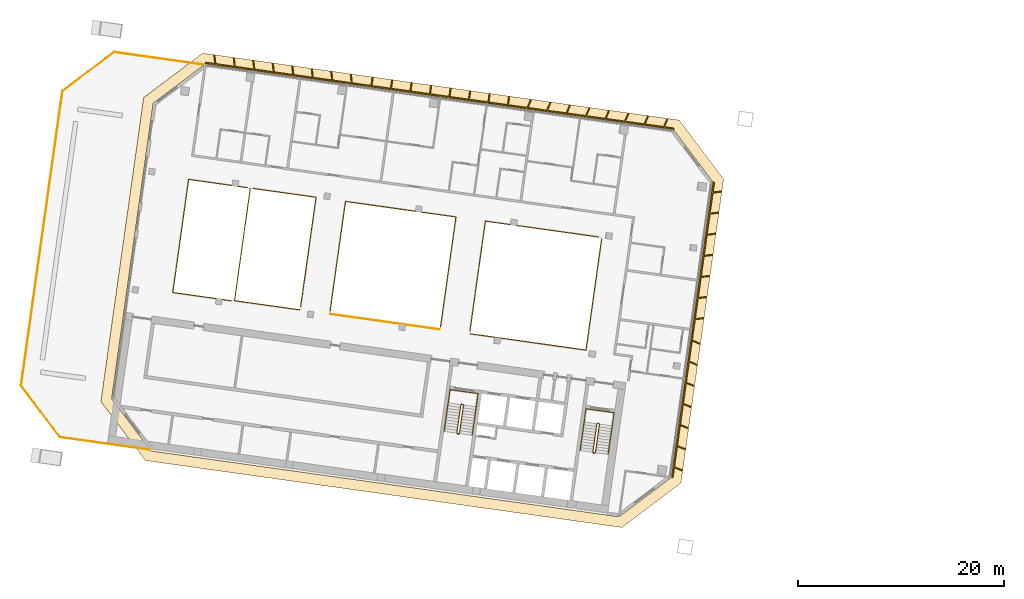
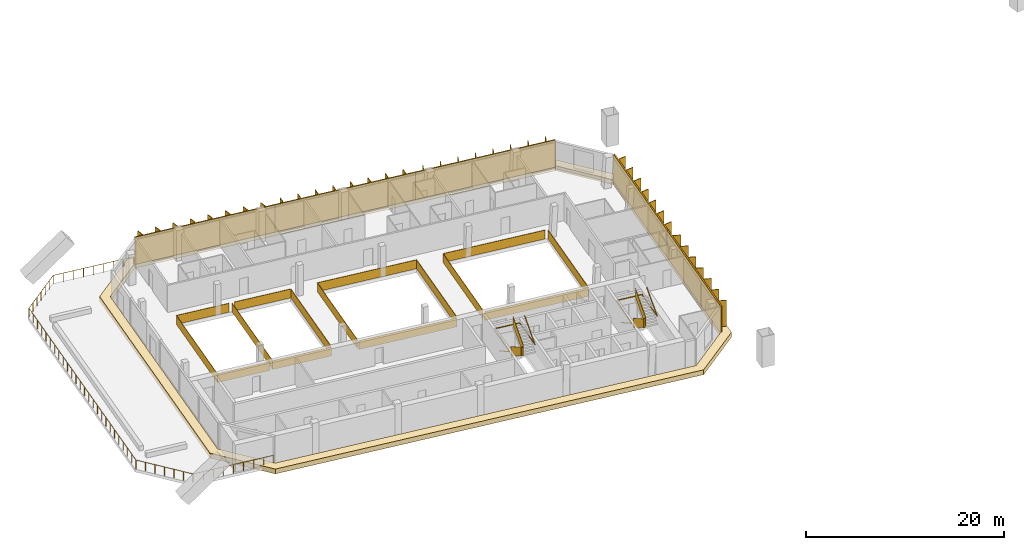
# One storey, part 22 of 23: 12 railings, 5 shading devices, 1 covering.
"""IFC4 building model written with IfcOpenShell, lengths in metres."""

import ifcopenshell
import ifcopenshell.guid

model = None  # the IFC model being written
_history = None  # IfcOwnerHistory: only IFC2X3 demands one
_inside = {}  # id of a spatial element -> (the spatial element, [elements in it])
_under = {}  # id of a project, library or spatial element -> (it, [spatial elements below it])
_declared = {}  # id of a project -> (the project, [libraries it declares])
_typed = {}  # id of a type object -> (the type object, [elements of that type])
_made_of = {}  # id of a material, layer set ... -> (it, [elements and type objects made of it])


def new_model(schema):
    """Start an empty IFC model of exactly this schema.

    Asked for "IFC4X3", IfcOpenShell would pick the latest addendum, in which some entities
    have other attributes; the version numbers below select the first issue.
    IFC2X3 requires an IfcOwnerHistory on every rooted entity: one is made here for all.
    """
    global model, _history
    if schema == "IFC4X3":
        model = ifcopenshell.file(schema_version=(4, 3, 0, 0))
    else:
        model = ifcopenshell.file(schema=schema)
    _inside.clear()
    _under.clear()
    _declared.clear()
    _typed.clear()
    _made_of.clear()
    _history = None
    if model.schema == "IFC2X3":
        org = make("IfcOrganization", Name="unknown")
        user = make(
            "IfcPersonAndOrganization",
            ThePerson=make("IfcPerson", FamilyName="unknown"),
            TheOrganization=org,
        )
        app = make(
            "IfcApplication",
            ApplicationDeveloper=org,
            Version="unknown",
            ApplicationFullName="unknown",
            ApplicationIdentifier="unknown",
        )
        _history = make(
            "IfcOwnerHistory",
            OwningUser=user,
            OwningApplication=app,
            ChangeAction="ADDED",
            CreationDate=0,
        )
    return model


def make(cls, **values):
    """One entity of the class cls with the attributes given. An attribute that is None is left unset."""
    return model.create_entity(
        cls, **{name: value for name, value in values.items() if value is not None}
    )


def rooted(cls, **values):
    """An entity with a GlobalId (a new one), such as an element, a storey or a relation."""
    return make(cls, GlobalId=ifcopenshell.guid.new(), OwnerHistory=_history, **values)


def si_unit(unit_type, name, prefix=None):
    """IfcSIUnit, for example si_unit("LENGTHUNIT", "METRE", prefix="MILLI")."""
    return make("IfcSIUnit", UnitType=unit_type, Prefix=prefix, Name=name)


def assignment(units):
    """IfcUnitAssignment: the units of a project."""
    return None if units is None else make("IfcUnitAssignment", Units=units)


def point(xyz):
    """IfcCartesianPoint."""
    return None if xyz is None else make("IfcCartesianPoint", Coordinates=xyz)


def direction(xyz):
    """IfcDirection."""
    return None if xyz is None else make("IfcDirection", DirectionRatios=xyz)


def frame(location, z_axis=None, x_axis=None):
    """IfcAxis2Placement3D, a coordinate frame: its origin and axes. An axis left out is left unset."""
    return make(
        "IfcAxis2Placement3D",
        Location=point(location),
        Axis=direction(z_axis),
        RefDirection=direction(x_axis),
    )


def frame_2d(location, x_axis=None):
    """IfcAxis2Placement2D, a coordinate frame in the plane: its origin and x axis."""
    return make(
        "IfcAxis2Placement2D", Location=point(location), RefDirection=direction(x_axis)
    )


def origin():
    """The frame at (0, 0, 0) with its axes left unset."""
    return frame((0.0, 0.0, 0.0))


def origin_2d():
    """The frame at (0, 0) in the plane with its x axis left unset."""
    return frame_2d((0.0, 0.0))


def place(relative_to, where):
    """IfcLocalPlacement: puts the frame where relative to a parent placement (None: the world)."""
    return make(
        "IfcLocalPlacement", PlacementRelTo=relative_to, RelativePlacement=where
    )


def context(
    kind, dimensions, precision=None, world=None, true_north=None, identifier=None
):
    """IfcGeometricRepresentationContext, for example the 3D "Model" context."""
    return make(
        "IfcGeometricRepresentationContext",
        ContextIdentifier=identifier,
        ContextType=kind,
        CoordinateSpaceDimension=dimensions,
        Precision=precision,
        WorldCoordinateSystem=world,
        TrueNorth=true_north,
    )


def subcontext(parent, identifier, kind, view, scale=None):
    """IfcGeometricRepresentationSubContext, for example "Body" below "Model"."""
    return make(
        "IfcGeometricRepresentationSubContext",
        ContextIdentifier=identifier,
        ContextType=kind,
        ParentContext=parent,
        TargetScale=scale,
        TargetView=view,
    )


def project(units=None, contexts=None):
    """IfcProject with its units and contexts."""
    return rooted(
        "IfcProject",
        Name="project",
        RepresentationContexts=contexts,
        UnitsInContext=assignment(units),
    )


def spatial(cls, under=None, at=None, **own):
    """A site, building, storey or space (cls), placed at a placement, below another one or the project."""
    s = rooted(cls, ObjectPlacement=at, **own)
    if under is not None:
        _under.setdefault(under.id(), (under, []))[1].append(s)
    return s


def polyline(points):
    """IfcPolyline through the points."""
    return make("IfcPolyline", Points=[point(p) for p in points])


def profile(cls, at=None, kind="AREA", **sizes):
    """A parametric profile (cls). Its sizes go by their IFC names, for example OverallWidth=200.0."""
    return make(cls, ProfileType=kind, Position=at, **sizes)


def rectangle(**sizes):
    """IfcRectangleProfileDef."""
    return profile("IfcRectangleProfileDef", **sizes)


def outline(outer, holes=None, kind="AREA"):
    """IfcArbitraryClosedProfileDef: a profile drawn as a closed curve; with holes, ...WithVoids."""
    if holes is None:
        return make("IfcArbitraryClosedProfileDef", ProfileType=kind, OuterCurve=outer)
    return make(
        "IfcArbitraryProfileDefWithVoids",
        ProfileType=kind,
        OuterCurve=outer,
        InnerCurves=holes,
    )


def extrude(swept, where, along, depth):
    """IfcExtrudedAreaSolid: the profile swept, set in the frame where, extruded along a direction by depth."""
    return make(
        "IfcExtrudedAreaSolid",
        SweptArea=swept,
        Position=where,
        ExtrudedDirection=direction(along),
        Depth=depth,
    )


def shape(context_of_items, identifier, shape_type, items):
    """IfcShapeRepresentation: the items that make up one representation, for example the "Body"."""
    return make(
        "IfcShapeRepresentation",
        ContextOfItems=context_of_items,
        RepresentationIdentifier=identifier,
        RepresentationType=shape_type,
        Items=items,
    )


def material(Name=None, Category=None):
    """IfcMaterial."""
    return make("IfcMaterial", Name=Name, Category=Category)


def layer(
    of_material, thickness, ventilated=None, Name=None, Category=None, Priority=None
):
    """IfcMaterialLayer: one layer of a wall or slab, of a material (None: an air gap)."""
    return make(
        "IfcMaterialLayer",
        Material=of_material,
        LayerThickness=thickness,
        IsVentilated=ventilated,
        Name=Name,
        Category=Category,
        Priority=Priority,
    )


def layer_set(layers, Name=None):
    """IfcMaterialLayerSet."""
    return make("IfcMaterialLayerSet", MaterialLayers=layers, LayerSetName=Name)


def made_of(thing, what):
    """Note that an element or type object is made of a material, layer set ...; save() writes the relation."""
    if what is not None:
        _made_of.setdefault(what.id(), (what, []))[1].append(thing)
    return thing


def type_object(cls, material=None, **own):
    """A type object (cls), such as IfcWallType, which elements share."""
    return made_of(rooted(cls, **own), material)


def element(
    cls,
    number,
    at=None,
    inside=None,
    cuts=None,
    type_object=None,
    material=None,
    context=None,
    identifier="Body",
    shape_type=None,
    held_by="IfcProductDefinitionShape",
    body=None,
    shapes=None,
    **own,
):
    """One element of the class cls, such as IfcWall. Its Tag is "e" and its number.

    at: its placement. inside: the storey or other place that contains it. cuts: it is an
    opening in that element (IfcRelVoidsElement). A single representation is given by context,
    identifier, shape_type and body (its items); several are given by shapes. held_by: the class
    of the entity that holds the representations. save() writes the other relations.
    """
    e = rooted(cls, Tag="e%d" % number, ObjectPlacement=at, **own)
    if body is not None:
        shapes = [shape(context, identifier, shape_type, body)]
    if shapes is not None:
        e.Representation = make(held_by, Representations=shapes)
    if inside is not None:
        _inside.setdefault(inside.id(), (inside, []))[1].append(e)
    if cuts is not None:
        rooted(
            "IfcRelVoidsElement", RelatingBuildingElement=cuts, RelatedOpeningElement=e
        )
    if type_object is not None:
        _typed.setdefault(type_object.id(), (type_object, []))[1].append(e)
    return made_of(e, material)


def aggregate(whole, parts):
    """IfcRelAggregates: a whole, such as a stair, and the parts it consists of."""
    return rooted("IfcRelAggregates", RelatingObject=whole, RelatedObjects=parts)


def save(model, path):
    """Write the relations noted so far, then the file.

    IfcRelAggregates (storeys below a building ...), IfcRelContainedInSpatialStructure (elements
    in a storey), IfcRelDefinesByType, IfcRelAssociatesMaterial and IfcRelDeclares: one each for
    every whole, place, type object, material and project.
    """
    for whole, parts in _under.values():
        aggregate(whole, parts)
    for where, things in _inside.values():
        rooted(
            "IfcRelContainedInSpatialStructure",
            RelatedElements=things,
            RelatingStructure=where,
        )
    for kind, things in _typed.values():
        rooted("IfcRelDefinesByType", RelatedObjects=things, RelatingType=kind)
    for what, things in _made_of.values():
        rooted("IfcRelAssociatesMaterial", RelatedObjects=things, RelatingMaterial=what)
    for by, libraries in _declared.values():
        rooted("IfcRelDeclares", RelatingContext=by, RelatedDefinitions=libraries)
    model.write(path)


model = new_model("IFC4")

# Units and contexts
model_context = context("Model", 3, precision=1e-05, world=origin(), true_north=direction((0.0, 1.0)))
body_context = subcontext(model_context, "Body", "Model", "MODEL_VIEW")
ifc_project = project(units=[si_unit("LENGTHUNIT", "METRE"), si_unit("AREAUNIT", "SQUARE_METRE"), si_unit("VOLUMEUNIT", "CUBIC_METRE"), si_unit("PLANEANGLEUNIT", "RADIAN"), si_unit("MASSUNIT", "GRAM", prefix="KILO")], contexts=[model_context])

# Site, building, storey
site_placement = place(None, origin())
site = spatial("IfcSite", under=ifc_project, at=site_placement, CompositionType="ELEMENT")
building_placement = place(site_placement, origin())
building = spatial("IfcBuilding", under=site, at=building_placement, Name="Mirante Cascada Hotel Towers", CompositionType="ELEMENT")
storey_placement = place(building_placement, frame((0.0, 0.0, 180.2)))
storey = spatial("IfcBuildingStorey", under=building, at=storey_placement, Name="L42", CompositionType="ELEMENT", Elevation=180.2)

# Railings
ifc_material_1 = material(Name="Toughened glass with stainless steel handrail", Category="steel")
railing_type_1 = type_object("IfcRailingType", Name="Atrium guard 1100 glass balustrade", PredefinedType="GUARDRAIL", material=ifc_material_1)
railing_1_placement = place(storey_placement, frame((-37.864, 6.7125, 0.0)))
element("IfcRailing", 1, at=railing_1_placement, inside=storey, type_object=railing_type_1, Name="GUARD 1-L42-1", PredefinedType="GUARDRAIL", context=body_context, shape_type="SweptSolid", body=[
    extrude(rectangle(XDim=0.048, YDim=0.048, at=origin_2d()), frame((0.0, 0.0, 1.076), z_axis=(-0.1391712, -0.9902683, 0.0), x_axis=(0.9902683, -0.1391712, 0.0)), (0.0, 0.0, 1.0), 10.9333),
    extrude(rectangle(XDim=0.02, YDim=1.052, at=origin_2d()), frame((0.0, 0.0, 0.526), z_axis=(-0.1391712, -0.9902683, 0.0), x_axis=(0.9902683, -0.1391712, 0.0)), (0.0, 0.0, 1.0), 10.9333),
    extrude(rectangle(XDim=0.048, YDim=0.048, at=origin_2d()), frame((-1.5216, -10.8269, 1.076), z_axis=(-0.9902672, 0.1391796, 0.0), x_axis=(-0.1391796, -0.9902672, 0.0)), (0.0, 0.0, 1.0), 11.368),
    extrude(rectangle(XDim=0.02, YDim=1.052, at=origin_2d()), frame((-1.5216, -10.8269, 0.526), z_axis=(-0.9902672, 0.1391796, 0.0), x_axis=(-0.1391796, -0.9902672, 0.0)), (0.0, 0.0, 1.0), 11.368),
])
railing_2_placement = place(storey_placement, frame((-53.6138, -2.1147, 0.0)))
element("IfcRailing", 2, at=railing_2_placement, inside=storey, type_object=railing_type_1, Name="GUARD 1-L42-2", PredefinedType="GUARDRAIL", context=body_context, shape_type="SweptSolid", body=[
    extrude(rectangle(XDim=0.048, YDim=0.048, at=origin_2d()), frame((0.0, 0.0, 1.076), z_axis=(-0.9902681, 0.1391731, 0.0), x_axis=(-0.1391731, -0.9902681, 0.0)), (0.0, 0.0, 1.0), 10.737),
    extrude(rectangle(XDim=0.02, YDim=1.052, at=origin_2d()), frame((0.0, 0.0, 0.526), z_axis=(-0.9902681, 0.1391731, 0.0), x_axis=(-0.1391731, -0.9902681, 0.0)), (0.0, 0.0, 1.0), 10.737),
])
railing_3_placement = place(storey_placement, frame((-67.2171, -0.2029, 0.0)))
element("IfcRailing", 3, at=railing_3_placement, inside=storey, type_object=railing_type_1, Name="GUARD 1-L42-3", PredefinedType="GUARDRAIL", context=body_context, shape_type="SweptSolid", body=[
    extrude(rectangle(XDim=0.048, YDim=0.048, at=origin_2d()), frame((0.0, 0.0, 1.076), z_axis=(-0.9902681, 0.1391726, 0.0), x_axis=(-0.1391726, -0.9902681, 0.0)), (0.0, 0.0, 1.0), 6.3949),
    extrude(rectangle(XDim=0.02, YDim=1.052, at=origin_2d()), frame((0.0, 0.0, 0.526), z_axis=(-0.9902681, 0.1391726, 0.0), x_axis=(-0.1391726, -0.9902681, 0.0)), (0.0, 0.0, 1.0), 6.3949),
    extrude(rectangle(XDim=0.048, YDim=0.048, at=origin_2d()), frame((-6.3327, 0.89, 1.076), z_axis=(0.1391721, 0.9902682, 0.0), x_axis=(-0.9902682, 0.1391721, 0.0)), (0.0, 0.0, 1.0), 11.0001),
    extrude(rectangle(XDim=0.02, YDim=1.052, at=origin_2d()), frame((-6.3327, 0.89, 0.526), z_axis=(0.1391721, 0.9902682, 0.0), x_axis=(-0.9902682, 0.1391721, 0.0)), (0.0, 0.0, 1.0), 11.0001),
    extrude(rectangle(XDim=0.048, YDim=0.048, at=origin_2d()), frame((-4.8018, 11.783, 1.076), z_axis=(-0.1393237, -0.9902469, 0.0), x_axis=(0.9902469, -0.1393237, 0.0)), (0.0, 0.0, 1.0), 0.0668),
    extrude(rectangle(XDim=0.02, YDim=1.052, at=origin_2d()), frame((-4.8018, 11.783, 0.526), z_axis=(-0.1393237, -0.9902469, 0.0), x_axis=(0.9902469, -0.1393237, 0.0)), (0.0, 0.0, 1.0), 0.0668),
])
railing_4_placement = place(storey_placement, frame((-72.3046, 11.6707, 0.0)))
element("IfcRailing", 4, at=railing_4_placement, inside=storey, type_object=railing_type_1, Name="GUARD 1-L42-4", PredefinedType="GUARDRAIL", context=body_context, shape_type="SweptSolid", body=[
    extrude(rectangle(XDim=0.048, YDim=0.048, at=origin_2d()), frame((0.0, 0.0, 1.076), z_axis=(-0.9902677, 0.1391755, 0.0), x_axis=(-0.1391755, -0.9902677, 0.0)), (0.0, 0.0, 1.0), 5.7546),
    extrude(rectangle(XDim=0.02, YDim=1.052, at=origin_2d()), frame((0.0, 0.0, 0.526), z_axis=(-0.9902677, 0.1391755, 0.0), x_axis=(-0.1391755, -0.9902677, 0.0)), (0.0, 0.0, 1.0), 5.7546),
    extrude(rectangle(XDim=0.048, YDim=0.048, at=origin_2d()), frame((-5.6986, 0.8009, 1.076), z_axis=(-0.1391709, -0.9902684, 0.0), x_axis=(0.9902684, -0.1391709, 0.0)), (0.0, 0.0, 1.0), 11.1),
    extrude(rectangle(XDim=0.02, YDim=1.052, at=origin_2d()), frame((-5.6986, 0.8009, 0.526), z_axis=(-0.1391709, -0.9902684, 0.0), x_axis=(0.9902684, -0.1391709, 0.0)), (0.0, 0.0, 1.0), 11.1),
    extrude(rectangle(XDim=0.048, YDim=0.048, at=origin_2d()), frame((-7.2434, -10.1911, 1.076), z_axis=(0.9902677, -0.1391755, 0.0), x_axis=(0.1391755, 0.9902677, 0.0)), (0.0, 0.0, 1.0), 5.7546),
    extrude(rectangle(XDim=0.02, YDim=1.052, at=origin_2d()), frame((-7.2434, -10.1911, 0.526), z_axis=(0.9902677, -0.1391755, 0.0), x_axis=(0.1391755, 0.9902677, 0.0)), (0.0, 0.0, 1.0), 5.7546),
])
railing_5_placement = place(storey_placement, frame((-67.1274, 0.0831, 0.0)))
element("IfcRailing", 5, at=railing_5_placement, inside=storey, type_object=railing_type_1, Name="GUARD 1-L42-5", PredefinedType="GUARDRAIL", context=body_context, shape_type="SweptSolid", body=[
    extrude(rectangle(XDim=0.048, YDim=0.048, at=origin_2d()), frame((0.0, 0.0, 1.076), z_axis=(0.1391715, 0.9902683, 0.0), x_axis=(-0.9902683, 0.1391715, 0.0)), (0.0, 0.0, 1.0), 10.7544),
    extrude(rectangle(XDim=0.02, YDim=1.052, at=origin_2d()), frame((0.0, 0.0, 0.526), z_axis=(0.1391715, 0.9902683, 0.0), x_axis=(-0.9902683, 0.1391715, 0.0)), (0.0, 0.0, 1.0), 10.7544),
    extrude(rectangle(XDim=0.048, YDim=0.048, at=origin_2d()), frame((1.4967, 10.6497, 1.076), z_axis=(-0.9902706, 0.1391554, 0.0), x_axis=(-0.1391554, -0.9902706, 0.0)), (0.0, 0.0, 1.0), 6.1485),
    extrude(rectangle(XDim=0.02, YDim=1.052, at=origin_2d()), frame((1.4967, 10.6497, 0.526), z_axis=(-0.9902706, 0.1391554, 0.0), x_axis=(-0.1391554, -0.9902706, 0.0)), (0.0, 0.0, 1.0), 6.1485),
])
railing_6_placement = place(storey_placement, frame((-53.524, -1.8288, 0.0)))
element("IfcRailing", 6, at=railing_6_placement, inside=storey, type_object=railing_type_1, Name="GUARD 1-L42-6", PredefinedType="GUARDRAIL", context=body_context, shape_type="SweptSolid", body=[
    extrude(rectangle(XDim=0.048, YDim=0.048, at=origin_2d()), frame((0.0, 0.0, 1.076), z_axis=(0.1391702, 0.9902685, 0.0), x_axis=(-0.9902685, 0.1391702, 0.0)), (0.0, 0.0, 1.0), 10.7545),
    extrude(rectangle(XDim=0.02, YDim=1.052, at=origin_2d()), frame((0.0, 0.0, 0.526), z_axis=(0.1391702, 0.9902685, 0.0), x_axis=(-0.9902685, 0.1391702, 0.0)), (0.0, 0.0, 1.0), 10.7545),
    extrude(rectangle(XDim=0.048, YDim=0.048, at=origin_2d()), frame((1.4967, 10.6498, 1.076), z_axis=(-0.9902688, 0.1391676, 0.0), x_axis=(-0.1391676, -0.9902688, 0.0)), (0.0, 0.0, 1.0), 10.8351),
    extrude(rectangle(XDim=0.02, YDim=1.052, at=origin_2d()), frame((1.4967, 10.6498, 0.526), z_axis=(-0.9902688, 0.1391676, 0.0), x_axis=(-0.1391676, -0.9902688, 0.0)), (0.0, 0.0, 1.0), 10.8351),
    extrude(rectangle(XDim=0.048, YDim=0.048, at=origin_2d()), frame((-9.233, 12.1577, 1.076), z_axis=(-0.1391715, -0.9902683, 0.0), x_axis=(0.9902683, -0.1391715, 0.0)), (0.0, 0.0, 1.0), 10.7544),
    extrude(rectangle(XDim=0.02, YDim=1.052, at=origin_2d()), frame((-9.233, 12.1577, 0.526), z_axis=(-0.1391715, -0.9902683, 0.0), x_axis=(0.9902683, -0.1391715, 0.0)), (0.0, 0.0, 1.0), 10.7544),
])
railing_7_placement = place(storey_placement, frame((-38.1213, 6.8666, 0.0)))
element("IfcRailing", 7, at=railing_7_placement, inside=storey, type_object=railing_type_1, Name="GUARD 1-L42-7", PredefinedType="GUARDRAIL", context=body_context, shape_type="SweptSolid", body=[
    extrude(rectangle(XDim=0.048, YDim=0.048, at=origin_2d()), frame((0.0, 0.0, 1.076), z_axis=(-0.9902681, 0.1391729, 0.0), x_axis=(-0.1391729, -0.9902681, 0.0)), (0.0, 0.0, 1.0), 11.1408),
    extrude(rectangle(XDim=0.02, YDim=1.052, at=origin_2d()), frame((0.0, 0.0, 0.526), z_axis=(-0.9902681, 0.1391729, 0.0), x_axis=(-0.1391729, -0.9902681, 0.0)), (0.0, 0.0, 1.0), 11.1408),
    extrude(rectangle(XDim=0.048, YDim=0.048, at=origin_2d()), frame((-11.0324, 1.5505, 1.076), z_axis=(-0.1391715, -0.9902683, 0.0), x_axis=(0.9902683, -0.1391715, 0.0)), (0.0, 0.0, 1.0), 10.7544),
    extrude(rectangle(XDim=0.02, YDim=1.052, at=origin_2d()), frame((-11.0324, 1.5505, 0.526), z_axis=(-0.1391715, -0.9902683, 0.0), x_axis=(0.9902683, -0.1391715, 0.0)), (0.0, 0.0, 1.0), 10.7544),
])

# Covering
ifc_material_2 = material(Name="Precast concrete C40/50 white", Category="concrete")
ifc_layer = layer(ifc_material_2, 0.6)
ifc_layer_set = layer_set([ifc_layer], Name="Precast concrete SUNSHADE band 1000x600")
covering_type = type_object("IfcCoveringType", Name="Precast concrete SUNSHADE band 1000x600", PredefinedType="CLADDING", material=ifc_layer_set)
covering_placement = place(storey_placement, frame((0.0, 0.0, -0.45)))
element("IfcCovering", 8, at=covering_placement, inside=storey, type_object=covering_type, Name="Precast concrete SUNSHADE band T1 L42", PredefinedType="CLADDING", context=body_context, shape_type="SweptSolid", body=[
    extrude(outline(polyline([(-86.5404, -9.1145), (-82.3891, 20.4236), (-76.645, 24.7521), (-30.3238, 18.2421), (-25.9953, 12.498), (-30.1466, -17.0402), (-35.8907, -21.3687), (-82.2119, -14.8586), (-86.5404, -9.1145)]), holes=[polyline([(-27.0432, 12.2269), (-30.8731, 17.3094), (-76.374, 23.7042), (-81.4565, 19.8742), (-85.4925, -8.8435), (-81.6626, -13.926), (-36.1617, -20.3208), (-31.0792, -16.4908), (-27.0432, 12.2269)])]), origin(), (0.0, 0.0, 1.0), 0.6),
])

# Railings
ifc_material_3 = material(Name="Painted steel", Category="steel")
railing_type_2 = type_object("IfcRailingType", Name="Stair guard 1100 steel balustrade", PredefinedType="GUARDRAIL", material=ifc_material_3)
railing_8_placement = place(storey_placement, frame((-38.1178, -11.2603, 0.0)))
element("IfcRailing", 9, at=railing_8_placement, inside=storey, type_object=railing_type_2, Name="L42 ST1-A stair guard 1", PredefinedType="GUARDRAIL", context=body_context, shape_type="SweptSolid", body=[
    extrude(rectangle(XDim=0.048, YDim=0.048, at=origin_2d()), frame((0.0, 0.0, 1.076), z_axis=(-0.9903326, 0.1387133, 0.0), x_axis=(-0.1387133, -0.9903326, 0.0)), (0.0, 0.0, 1.0), 0.1499),
    extrude(rectangle(XDim=0.02, YDim=1.052, at=origin_2d()), frame((0.0, 0.0, 0.526), z_axis=(-0.9903326, 0.1387133, 0.0), x_axis=(-0.1387133, -0.9903326, 0.0)), (0.0, 0.0, 1.0), 0.1499),
    extrude(rectangle(XDim=0.048, YDim=0.048, at=origin_2d()), frame((-0.1485, 0.0208, 1.076), z_axis=(-0.7991505, -0.6011309, 0.0), x_axis=(0.6011309, -0.7991505, 0.0)), (0.0, 0.9254529, 0.3788627), 0.1866),
    extrude(rectangle(XDim=0.02, YDim=1.052, at=origin_2d()), frame((-0.1485, 0.0208, 0.526), z_axis=(-0.7991505, -0.6011309, 0.0), x_axis=(0.6011309, -0.7991505, 0.0)), (0.0, 0.9254529, 0.3788627), 0.1866),
    extrude(rectangle(XDim=0.048, YDim=0.048, at=origin_2d()), frame((-0.205, -0.0217, 1.2487), z_axis=(-0.139176, -0.9902677, 0.0), x_axis=(0.9902677, -0.139176, 0.0)), (0.0, 0.5250212, 0.8510891), 3.29),
    extrude(rectangle(XDim=0.02, YDim=1.052, at=origin_2d()), frame((-0.205, -0.0217, 0.6987), z_axis=(-0.139176, -0.9902677, 0.0), x_axis=(0.9902677, -0.139176, 0.0)), (0.0, 0.5250212, 0.8510891), 3.29),
    extrude(rectangle(XDim=0.048, YDim=0.048, at=origin_2d()), frame((-0.5947, -2.7945, 2.976), z_axis=(0.9270311, -0.3749843, 0.0), x_axis=(0.3749843, 0.9270311, 0.0)), (0.0, 0.0, 1.0), 0.2061),
    extrude(rectangle(XDim=0.02, YDim=1.052, at=origin_2d()), frame((-0.5947, -2.7945, 2.426), z_axis=(0.9270311, -0.3749843, 0.0), x_axis=(0.3749843, 0.9270311, 0.0)), (0.0, 0.0, 1.0), 0.2061),
    extrude(rectangle(XDim=0.048, YDim=0.048, at=origin_2d()), frame((-0.4036, -2.8718, 2.976), z_axis=(-0.9902408, 0.1393672, 0.0), x_axis=(-0.1393672, -0.9902408, 0.0)), (0.0, 0.0, 1.0), 0.15),
    extrude(rectangle(XDim=0.02, YDim=1.052, at=origin_2d()), frame((-0.4036, -2.8718, 2.426), z_axis=(-0.9902408, 0.1393672, 0.0), x_axis=(-0.1393672, -0.9902408, 0.0)), (0.0, 0.0, 1.0), 0.15),
    extrude(rectangle(XDim=0.048, YDim=0.048, at=origin_2d()), frame((-0.5521, -2.8509, 2.976), z_axis=(0.9944948, 0.1047858, 0.0), x_axis=(-0.1047858, 0.9944948, 0.0)), (0.0, 0.6422034, 0.7665343), 0.2689),
    extrude(rectangle(XDim=0.02, YDim=1.052, at=origin_2d()), frame((-0.5521, -2.8509, 2.426), z_axis=(0.9944948, 0.1047858, 0.0), x_axis=(-0.1047858, 0.9944948, 0.0)), (0.0, 0.6422034, 0.7665343), 0.2689),
    extrude(rectangle(XDim=0.048, YDim=0.048, at=origin_2d()), frame((-0.3471, -2.8293, 3.1487), z_axis=(0.139176, 0.9902677, 0.0), x_axis=(-0.9902677, 0.139176, 0.0)), (0.0, 0.5250212, 0.8510891), 3.29),
    extrude(rectangle(XDim=0.02, YDim=1.052, at=origin_2d()), frame((-0.3471, -2.8293, 2.5987), z_axis=(0.139176, 0.9902677, 0.0), x_axis=(-0.9902677, 0.139176, 0.0)), (0.0, 0.5250212, 0.8510891), 3.29),
])
railing_9_placement = place(storey_placement, frame((-51.3379, -9.4024, 0.0)))
element("IfcRailing", 10, at=railing_9_placement, inside=storey, type_object=railing_type_2, Name="L42 ST1-B stair guard 1", PredefinedType="GUARDRAIL", context=body_context, shape_type="SweptSolid", body=[
    extrude(rectangle(XDim=0.048, YDim=0.048, at=origin_2d()), frame((0.0, 0.0, 1.076), z_axis=(-0.9902408, 0.1393672, 0.0), x_axis=(-0.1393672, -0.9902408, 0.0)), (0.0, 0.0, 1.0), 0.15),
    extrude(rectangle(XDim=0.02, YDim=1.052, at=origin_2d()), frame((0.0, 0.0, 0.526), z_axis=(-0.9902408, 0.1393672, 0.0), x_axis=(-0.1393672, -0.9902408, 0.0)), (0.0, 0.0, 1.0), 0.15),
    extrude(rectangle(XDim=0.048, YDim=0.048, at=origin_2d()), frame((-0.1485, 0.0209, 1.076), z_axis=(-0.7984711, -0.6020331, 0.0), x_axis=(0.6020331, -0.7984711, 0.0)), (0.0, 0.9253398, 0.3791387), 0.1866),
    extrude(rectangle(XDim=0.02, YDim=1.052, at=origin_2d()), frame((-0.1485, 0.0209, 0.526), z_axis=(-0.7984711, -0.6020331, 0.0), x_axis=(0.6020331, -0.7984711, 0.0)), (0.0, 0.9253398, 0.3791387), 0.1866),
    extrude(rectangle(XDim=0.048, YDim=0.048, at=origin_2d()), frame((-0.205, -0.0217, 1.2487), z_axis=(-0.139181, -0.990267, 0.0), x_axis=(0.990267, -0.139181, 0.0)), (0.0, 0.5250347, 0.8510808), 3.2899),
    extrude(rectangle(XDim=0.02, YDim=1.052, at=origin_2d()), frame((-0.205, -0.0217, 0.6987), z_axis=(-0.139181, -0.990267, 0.0), x_axis=(0.990267, -0.139181, 0.0)), (0.0, 0.5250347, 0.8510808), 3.2899),
    extrude(rectangle(XDim=0.048, YDim=0.048, at=origin_2d()), frame((-0.5947, -2.7944, 2.976), z_axis=(0.9268624, -0.3754011, 0.0), x_axis=(0.3754011, 0.9268624, 0.0)), (0.0, 0.0, 1.0), 0.2062),
    extrude(rectangle(XDim=0.02, YDim=1.052, at=origin_2d()), frame((-0.5947, -2.7944, 2.426), z_axis=(0.9268624, -0.3754011, 0.0), x_axis=(0.3754011, 0.9268624, 0.0)), (0.0, 0.0, 1.0), 0.2062),
    extrude(rectangle(XDim=0.048, YDim=0.048, at=origin_2d()), frame((-0.4036, -2.8718, 2.976), z_axis=(-0.9902408, 0.1393672, 0.0), x_axis=(-0.1393672, -0.9902408, 0.0)), (0.0, 0.0, 1.0), 0.15),
    extrude(rectangle(XDim=0.02, YDim=1.052, at=origin_2d()), frame((-0.4036, -2.8718, 2.426), z_axis=(-0.9902408, 0.1393672, 0.0), x_axis=(-0.1393672, -0.9902408, 0.0)), (0.0, 0.0, 1.0), 0.15),
    extrude(rectangle(XDim=0.048, YDim=0.048, at=origin_2d()), frame((-0.5521, -2.8509, 2.976), z_axis=(0.9944441, 0.1052656, 0.0), x_axis=(-0.1052656, 0.9944441, 0.0)), (0.0, 0.6421842, 0.7665504), 0.2689),
    extrude(rectangle(XDim=0.02, YDim=1.052, at=origin_2d()), frame((-0.5521, -2.8509, 2.426), z_axis=(0.9944441, 0.1052656, 0.0), x_axis=(-0.1052656, 0.9944441, 0.0)), (0.0, 0.6421842, 0.7665504), 0.2689),
    extrude(rectangle(XDim=0.048, YDim=0.048, at=origin_2d()), frame((-0.3471, -2.8292, 3.1487), z_axis=(0.139181, 0.990267, 0.0), x_axis=(-0.990267, 0.139181, 0.0)), (0.0, 0.5250347, 0.8510808), 3.2899),
    extrude(rectangle(XDim=0.02, YDim=1.052, at=origin_2d()), frame((-0.3471, -2.8292, 2.5987), z_axis=(0.139181, 0.990267, 0.0), x_axis=(-0.990267, 0.139181, 0.0)), (0.0, 0.5250347, 0.8510808), 3.2899),
])
ifc_material_4 = material(Name="Painted steel", Category="steel")
railing_type_3 = type_object("IfcRailingType", Name="Stair handrail 900 steel tube", PredefinedType="HANDRAIL", material=ifc_material_4)
railing_10_placement = place(storey_placement, frame((-39.5606, -11.1081, 0.1727)))
element("IfcRailing", 11, at=railing_10_placement, inside=storey, type_object=railing_type_3, Name="L42 ST1-A stair handrail 1", PredefinedType="HANDRAIL", context=body_context, shape_type="SweptSolid", body=[
    extrude(rectangle(XDim=0.048, YDim=0.048, at=origin_2d()), frame((0.0, 0.0, 0.876), z_axis=(-0.139181, -0.990267, 0.0), x_axis=(0.990267, -0.139181, 0.0)), (0.0, 0.5250347, 0.8510808), 3.2899),
    extrude(rectangle(XDim=0.048, YDim=0.048, at=origin_2d()), frame((-0.3897, -2.7727, 2.6033), z_axis=(0.1391707, 0.9902684, 0.0), x_axis=(-0.9902684, 0.1391707, 0.0)), (0.0, 0.0420846, 0.999114), 4.1036),
    extrude(rectangle(XDim=0.048, YDim=0.048, at=origin_2d()), frame((0.1809, 1.2874, 2.776), z_axis=(0.9902691, -0.1391657, 0.0), x_axis=(0.1391657, 0.9902691, 0.0)), (0.0, 0.0, 1.0), 2.75),
    extrude(rectangle(XDim=0.048, YDim=0.048, at=origin_2d()), frame((2.9041, 0.9047, 2.776), z_axis=(-0.1391707, -0.9902684, 0.0), x_axis=(0.9902684, -0.1391707, 0.0)), (0.0, 0.0, 1.0), 4.1),
    extrude(rectangle(XDim=0.048, YDim=0.048, at=origin_2d()), frame((2.3335, -3.1554, 2.776), z_axis=(0.139181, 0.990267, 0.0), x_axis=(-0.990267, 0.139181, 0.0)), (0.0, 0.5250347, 0.8510808), 3.2899),
])
railing_11_placement = place(storey_placement, frame((-52.7807, -9.2501, 0.1727)))
element("IfcRailing", 12, at=railing_11_placement, inside=storey, type_object=railing_type_3, Name="L42 ST1-B stair handrail 1", PredefinedType="HANDRAIL", context=body_context, shape_type="SweptSolid", body=[
    extrude(rectangle(XDim=0.048, YDim=0.048, at=origin_2d()), frame((0.0, 0.0, 0.876), z_axis=(-0.139181, -0.990267, 0.0), x_axis=(0.990267, -0.139181, 0.0)), (0.0, 0.5250347, 0.8510808), 3.2899),
    extrude(rectangle(XDim=0.048, YDim=0.048, at=origin_2d()), frame((-0.3897, -2.7727, 2.6033), z_axis=(0.1391707, 0.9902684, 0.0), x_axis=(-0.9902684, 0.1391707, 0.0)), (0.0, 0.0420846, 0.999114), 4.1036),
    extrude(rectangle(XDim=0.048, YDim=0.048, at=origin_2d()), frame((0.1809, 1.2874, 2.776), z_axis=(0.9902641, -0.1392013, 0.0), x_axis=(0.1392013, 0.9902641, 0.0)), (0.0, 0.0, 1.0), 2.75),
    extrude(rectangle(XDim=0.048, YDim=0.048, at=origin_2d()), frame((2.9041, 0.9046, 2.776), z_axis=(-0.1391707, -0.9902684, 0.0), x_axis=(0.9902684, -0.1391707, 0.0)), (0.0, 0.0, 1.0), 4.1),
    extrude(rectangle(XDim=0.048, YDim=0.048, at=origin_2d()), frame((2.3335, -3.1555, 2.776), z_axis=(0.139176, 0.9902677, 0.0), x_axis=(-0.9902677, 0.139176, 0.0)), (0.0, 0.5250212, 0.8510891), 3.29),
])
ifc_material_5 = material(Name="Stainless steel AISI 316", Category="steel")
railing_type_4 = type_object("IfcRailingType", Name="Terrace guard 1100", PredefinedType="GUARDRAIL", material=ifc_material_5)
railing_12_placement = place(storey_placement, frame((-76.5149, 23.623, 0.0)))
element("IfcRailing", 13, at=railing_12_placement, inside=storey, type_object=railing_type_4, Name="GUARD T1 L42 terrace 1", PredefinedType="GUARDRAIL", context=body_context, shape_type="SweptSolid", body=[
    extrude(outline(polyline([(0.025, 0.0104), (0.0104, 0.025), (-0.0104, 0.025), (-0.025, 0.0104), (-0.025, -0.0104), (-0.0104, -0.025), (0.0104, -0.025), (0.025, -0.0104), (0.025, 0.0104)])), frame((0.0, 0.0, 1.075), z_axis=(-0.9902688, 0.1391681, 0.0), x_axis=(-0.1391681, -0.9902688, 0.0)), (0.0, 0.0, 1.0), 8.8303),
    extrude(outline(polyline([(0.025, 0.0104), (0.0104, 0.025), (-0.0104, 0.025), (-0.025, 0.0104), (-0.025, -0.0104), (-0.0104, -0.025), (0.0104, -0.025), (0.025, -0.0104), (0.025, 0.0104)])), frame((-8.7444, 1.2289, 1.075), z_axis=(-0.7986396, -0.6018096, 0.0), x_axis=(0.6018096, -0.7986396, 0.0)), (0.0, 0.0, 1.0), 6.2811),
    extrude(outline(polyline([(0.025, 0.0104), (0.0104, 0.025), (-0.0104, 0.025), (-0.025, 0.0104), (-0.025, -0.0104), (-0.0104, -0.025), (0.0104, -0.025), (0.025, -0.0104), (0.025, 0.0104)])), frame((-13.7607, -2.5511, 1.075), z_axis=(-0.1391731, -0.9902681, 0.0), x_axis=(0.9902681, -0.1391731, 0.0)), (0.0, 0.0, 1.0), 28.9172),
    extrude(outline(polyline([(0.025, 0.0104), (0.0104, 0.025), (-0.0104, 0.025), (-0.025, 0.0104), (-0.025, -0.0104), (-0.0104, -0.025), (0.0104, -0.025), (0.025, -0.0104), (0.025, 0.0104)])), frame((-17.7852, -31.1869, 1.075), z_axis=(0.6018198, -0.7986319, 0.0), x_axis=(0.7986319, 0.6018198, 0.0)), (0.0, 0.0, 1.0), 6.2811),
    extrude(outline(polyline([(0.025, 0.0104), (0.0104, 0.025), (-0.0104, 0.025), (-0.025, 0.0104), (-0.025, -0.0104), (-0.0104, -0.025), (0.0104, -0.025), (0.025, -0.0104), (0.025, 0.0104)])), frame((-14.0051, -36.2032, 1.075), z_axis=(0.9902686, -0.1391696, 0.0), x_axis=(0.1391696, 0.9902686, 0.0)), (0.0, 0.0, 1.0), 8.8302),
    extrude(rectangle(XDim=0.05, YDim=0.05, at=origin_2d()), origin(), (0.0, 0.0, 1.0), 1.05),
    extrude(rectangle(XDim=0.05, YDim=0.05, at=origin_2d()), frame((-1.093, 0.1536, 0.0)), (0.0, 0.0, 1.0), 1.05),
    extrude(rectangle(XDim=0.05, YDim=0.05, at=origin_2d()), frame((-2.1861, 0.3072, 0.0)), (0.0, 0.0, 1.0), 1.05),
    extrude(rectangle(XDim=0.05, YDim=0.05, at=origin_2d()), frame((-3.2791, 0.4608, 0.0)), (0.0, 0.0, 1.0), 1.05),
    extrude(rectangle(XDim=0.05, YDim=0.05, at=origin_2d()), frame((-4.3722, 0.6144, 0.0)), (0.0, 0.0, 1.0), 1.05),
    extrude(rectangle(XDim=0.05, YDim=0.05, at=origin_2d()), frame((-5.4652, 0.7681, 0.0)), (0.0, 0.0, 1.0), 1.05),
    extrude(rectangle(XDim=0.05, YDim=0.05, at=origin_2d()), frame((-6.5583, 0.9217, 0.0)), (0.0, 0.0, 1.0), 1.05),
    extrude(rectangle(XDim=0.05, YDim=0.05, at=origin_2d()), frame((-7.6513, 1.0753, 0.0)), (0.0, 0.0, 1.0), 1.05),
    extrude(rectangle(XDim=0.05, YDim=0.05, at=origin_2d()), frame((-8.7444, 1.2289, 0.0)), (0.0, 0.0, 1.0), 1.05),
    extrude(rectangle(XDim=0.05, YDim=0.05, at=origin_2d()), frame((-9.5804, 0.5989, 0.0)), (0.0, 0.0, 1.0), 1.05),
    extrude(rectangle(XDim=0.05, YDim=0.05, at=origin_2d()), frame((-10.4165, -0.0311, 0.0)), (0.0, 0.0, 1.0), 1.05),
    extrude(rectangle(XDim=0.05, YDim=0.05, at=origin_2d()), frame((-11.2526, -0.6611, 0.0)), (0.0, 0.0, 1.0), 1.05),
    extrude(rectangle(XDim=0.05, YDim=0.05, at=origin_2d()), frame((-12.0886, -1.2911, 0.0)), (0.0, 0.0, 1.0), 1.05),
    extrude(rectangle(XDim=0.05, YDim=0.05, at=origin_2d()), frame((-12.9246, -1.9211, 0.0)), (0.0, 0.0, 1.0), 1.05),
    extrude(rectangle(XDim=0.05, YDim=0.05, at=origin_2d()), frame((-13.7607, -2.5511, 0.0)), (0.0, 0.0, 1.0), 1.05),
    extrude(rectangle(XDim=0.05, YDim=0.05, at=origin_2d()), frame((-13.9217, -3.6965, 0.0)), (0.0, 0.0, 1.0), 1.05),
    extrude(rectangle(XDim=0.05, YDim=0.05, at=origin_2d()), frame((-14.0827, -4.842, 0.0)), (0.0, 0.0, 1.0), 1.05),
    extrude(rectangle(XDim=0.05, YDim=0.05, at=origin_2d()), frame((-14.2436, -5.9874, 0.0)), (0.0, 0.0, 1.0), 1.05),
    extrude(rectangle(XDim=0.05, YDim=0.05, at=origin_2d()), frame((-14.4046, -7.1328, 0.0)), (0.0, 0.0, 1.0), 1.05),
    extrude(rectangle(XDim=0.05, YDim=0.05, at=origin_2d()), frame((-14.5656, -8.2783, 0.0)), (0.0, 0.0, 1.0), 1.05),
    extrude(rectangle(XDim=0.05, YDim=0.05, at=origin_2d()), frame((-14.7266, -9.4237, 0.0)), (0.0, 0.0, 1.0), 1.05),
    extrude(rectangle(XDim=0.05, YDim=0.05, at=origin_2d()), frame((-14.8876, -10.5691, 0.0)), (0.0, 0.0, 1.0), 1.05),
    extrude(rectangle(XDim=0.05, YDim=0.05, at=origin_2d()), frame((-15.0485, -11.7146, 0.0)), (0.0, 0.0, 1.0), 1.05),
    extrude(rectangle(XDim=0.05, YDim=0.05, at=origin_2d()), frame((-15.2095, -12.86, 0.0)), (0.0, 0.0, 1.0), 1.05),
    extrude(rectangle(XDim=0.05, YDim=0.05, at=origin_2d()), frame((-15.3705, -14.0054, 0.0)), (0.0, 0.0, 1.0), 1.05),
    extrude(rectangle(XDim=0.05, YDim=0.05, at=origin_2d()), frame((-15.5315, -15.1509, 0.0)), (0.0, 0.0, 1.0), 1.05),
    extrude(rectangle(XDim=0.05, YDim=0.05, at=origin_2d()), frame((-15.6925, -16.2963, 0.0)), (0.0, 0.0, 1.0), 1.05),
    extrude(rectangle(XDim=0.05, YDim=0.05, at=origin_2d()), frame((-15.8534, -17.4417, 0.0)), (0.0, 0.0, 1.0), 1.05),
    extrude(rectangle(XDim=0.05, YDim=0.05, at=origin_2d()), frame((-16.0144, -18.5871, 0.0)), (0.0, 0.0, 1.0), 1.05),
    extrude(rectangle(XDim=0.05, YDim=0.05, at=origin_2d()), frame((-16.1754, -19.7326, 0.0)), (0.0, 0.0, 1.0), 1.05),
    extrude(rectangle(XDim=0.05, YDim=0.05, at=origin_2d()), frame((-16.3364, -20.878, 0.0)), (0.0, 0.0, 1.0), 1.05),
    extrude(rectangle(XDim=0.05, YDim=0.05, at=origin_2d()), frame((-16.4974, -22.0234, 0.0)), (0.0, 0.0, 1.0), 1.05),
    extrude(rectangle(XDim=0.05, YDim=0.05, at=origin_2d()), frame((-16.6583, -23.1689, 0.0)), (0.0, 0.0, 1.0), 1.05),
    extrude(rectangle(XDim=0.05, YDim=0.05, at=origin_2d()), frame((-16.8193, -24.3143, 0.0)), (0.0, 0.0, 1.0), 1.05),
    extrude(rectangle(XDim=0.05, YDim=0.05, at=origin_2d()), frame((-16.9803, -25.4597, 0.0)), (0.0, 0.0, 1.0), 1.05),
    extrude(rectangle(XDim=0.05, YDim=0.05, at=origin_2d()), frame((-17.1413, -26.6052, 0.0)), (0.0, 0.0, 1.0), 1.05),
    extrude(rectangle(XDim=0.05, YDim=0.05, at=origin_2d()), frame((-17.3023, -27.7506, 0.0)), (0.0, 0.0, 1.0), 1.05),
    extrude(rectangle(XDim=0.05, YDim=0.05, at=origin_2d()), frame((-17.4632, -28.896, 0.0)), (0.0, 0.0, 1.0), 1.05),
    extrude(rectangle(XDim=0.05, YDim=0.05, at=origin_2d()), frame((-17.6242, -30.0415, 0.0)), (0.0, 0.0, 1.0), 1.05),
    extrude(rectangle(XDim=0.05, YDim=0.05, at=origin_2d()), frame((-17.7852, -31.1869, 0.0)), (0.0, 0.0, 1.0), 1.05),
    extrude(rectangle(XDim=0.05, YDim=0.05, at=origin_2d()), frame((-17.1552, -32.023, 0.0)), (0.0, 0.0, 1.0), 1.05),
    extrude(rectangle(XDim=0.05, YDim=0.05, at=origin_2d()), frame((-16.5252, -32.859, 0.0)), (0.0, 0.0, 1.0), 1.05),
    extrude(rectangle(XDim=0.05, YDim=0.05, at=origin_2d()), frame((-15.8952, -33.695, 0.0)), (0.0, 0.0, 1.0), 1.05),
    extrude(rectangle(XDim=0.05, YDim=0.05, at=origin_2d()), frame((-15.2651, -34.5311, 0.0)), (0.0, 0.0, 1.0), 1.05),
    extrude(rectangle(XDim=0.05, YDim=0.05, at=origin_2d()), frame((-14.6351, -35.3672, 0.0)), (0.0, 0.0, 1.0), 1.05),
    extrude(rectangle(XDim=0.05, YDim=0.05, at=origin_2d()), frame((-14.0051, -36.2032, 0.0)), (0.0, 0.0, 1.0), 1.05),
    extrude(rectangle(XDim=0.05, YDim=0.05, at=origin_2d()), frame((-12.9121, -36.3568, 0.0)), (0.0, 0.0, 1.0), 1.05),
    extrude(rectangle(XDim=0.05, YDim=0.05, at=origin_2d()), frame((-11.819, -36.5104, 0.0)), (0.0, 0.0, 1.0), 1.05),
    extrude(rectangle(XDim=0.05, YDim=0.05, at=origin_2d()), frame((-10.726, -36.664, 0.0)), (0.0, 0.0, 1.0), 1.05),
    extrude(rectangle(XDim=0.05, YDim=0.05, at=origin_2d()), frame((-9.633, -36.8176, 0.0)), (0.0, 0.0, 1.0), 1.05),
    extrude(rectangle(XDim=0.05, YDim=0.05, at=origin_2d()), frame((-8.5399, -36.9713, 0.0)), (0.0, 0.0, 1.0), 1.05),
    extrude(rectangle(XDim=0.05, YDim=0.05, at=origin_2d()), frame((-7.4469, -37.1249, 0.0)), (0.0, 0.0, 1.0), 1.05),
    extrude(rectangle(XDim=0.05, YDim=0.05, at=origin_2d()), frame((-6.3538, -37.2785, 0.0)), (0.0, 0.0, 1.0), 1.05),
    extrude(rectangle(XDim=0.05, YDim=0.05, at=origin_2d()), frame((-5.2608, -37.4321, 0.0)), (0.0, 0.0, 1.0), 1.05),
])

# Shading devices
ifc_material_6 = material(Name="White precast concrete C50/60 fin", Category="concrete")
shading_device_type = type_object("IfcShadingDeviceType", Name="Vertical fin set 4500x900", PredefinedType="USERDEFINED", material=ifc_material_6)
shading_device_1_placement = place(storey_placement, origin())
element("IfcShadingDevice", 14, at=shading_device_1_placement, inside=storey, type_object=shading_device_type, Name="FIN T1 L42 front 1", ObjectType="FIN", PredefinedType="USERDEFINED", context=body_context, shape_type="SweptSolid", body=[
    extrude(outline(polyline([(-62.1063, 21.8505), (-61.1862, 21.7211), (-61.207, 21.5726), (-76.374, 23.7042), (-76.3531, 23.8527), (-75.4594, 23.7271), (-75.5615, 24.5584), (-75.4821, 24.5681), (-75.3774, 23.7156), (-73.5636, 23.4607), (-73.6656, 24.2919), (-73.5862, 24.3017), (-73.4816, 23.4491), (-71.6677, 23.1942), (-71.7698, 24.0255), (-71.6904, 24.0352), (-71.5857, 23.1827), (-69.7718, 22.9278), (-69.8739, 23.759), (-69.7945, 23.7688), (-69.6898, 22.9162), (-67.876, 22.6613), (-67.978, 23.4926), (-67.8986, 23.5023), (-67.794, 22.6498), (-65.9801, 22.3949), (-66.0822, 23.2261), (-66.0028, 23.2359), (-65.8981, 22.3833), (-64.0842, 22.1284), (-64.1863, 22.9597), (-64.1069, 22.9694), (-64.0022, 22.1169), (-62.1884, 21.862), (-62.2904, 22.6933), (-62.211, 22.703), (-62.1063, 21.8505)])), origin(), (0.0, 0.0, 1.0), 3.35),
])
shading_device_2_placement = place(storey_placement, origin())
element("IfcShadingDevice", 15, at=shading_device_2_placement, inside=storey, type_object=shading_device_type, Name="FIN T1 L42 front 2", ObjectType="FIN", PredefinedType="USERDEFINED", context=body_context, shape_type="SweptSolid", body=[
    extrude(outline(polyline([(-46.9275, 19.7172), (-46.0192, 19.5895), (-46.0401, 19.441), (-61.207, 21.5726), (-61.1862, 21.7211), (-60.2778, 21.5935), (-60.1595, 22.4352), (-60.0803, 22.4241), (-60.1986, 21.5823), (-58.382, 21.327), (-58.2637, 22.1687), (-58.1844, 22.1576), (-58.3027, 21.3159), (-56.4861, 21.0606), (-56.3678, 21.9023), (-56.2886, 21.8912), (-56.4069, 21.0494), (-54.5902, 20.7941), (-54.4719, 21.6359), (-54.3927, 21.6247), (-54.511, 20.783), (-52.6943, 20.5277), (-52.5761, 21.3694), (-52.4968, 21.3583), (-52.6151, 20.5165), (-50.7985, 20.2612), (-50.6802, 21.103), (-50.601, 21.0918), (-50.7193, 20.2501), (-48.9026, 19.9948), (-48.7843, 20.8365), (-48.7051, 20.8254), (-48.8234, 19.9837), (-47.0067, 19.7283), (-46.8884, 20.5701), (-46.8092, 20.5589), (-46.9275, 19.7172)])), origin(), (0.0, 0.0, 1.0), 3.35),
])
shading_device_3_placement = place(storey_placement, origin())
element("IfcShadingDevice", 16, at=shading_device_3_placement, inside=storey, type_object=shading_device_type, Name="FIN T1 L42 front 3", ObjectType="FIN", PredefinedType="USERDEFINED", context=body_context, shape_type="SweptSolid", body=[
    extrude(outline(polyline([(-31.7459, 17.5836), (-30.8522, 17.458), (-30.8731, 17.3094), (-46.0401, 19.441), (-46.0192, 19.5895), (-45.099, 19.4602), (-44.7634, 20.2509), (-44.6897, 20.2196), (-45.017, 19.4487), (-43.2031, 19.1938), (-42.8675, 19.9844), (-42.7939, 19.9532), (-43.1211, 19.1823), (-41.3073, 18.9273), (-40.9716, 19.718), (-40.898, 19.6867), (-41.2252, 18.9158), (-39.4114, 18.6609), (-39.0758, 19.4516), (-39.0021, 19.4203), (-39.3294, 18.6494), (-37.5155, 18.3944), (-37.1799, 19.1851), (-37.1063, 19.1538), (-37.4335, 18.3829), (-35.6197, 18.128), (-35.284, 18.9187), (-35.2104, 18.8874), (-35.5376, 18.1165), (-33.7238, 17.8615), (-33.3882, 18.6522), (-33.3145, 18.621), (-33.6418, 17.85), (-31.8279, 17.5951), (-31.4923, 18.3858), (-31.4187, 18.3545), (-31.7459, 17.5836)])), origin(), (0.0, 0.0, 1.0), 3.35),
])
shading_device_4_placement = place(storey_placement, origin())
element("IfcShadingDevice", 17, at=shading_device_4_placement, inside=storey, type_object=shading_device_type, Name="FIN T1 L42 inner 1", ObjectType="FIN", PredefinedType="USERDEFINED", context=body_context, shape_type="SweptSolid", body=[
    extrude(outline(polyline([(-28.7724, -1.1549), (-28.9127, -2.1528), (-29.0612, -2.1319), (-27.0432, 12.2269), (-26.8947, 12.2061), (-27.0312, 11.2347), (-26.1999, 11.3368), (-26.1901, 11.2574), (-27.0427, 11.1527), (-27.3195, 9.1834), (-26.4882, 9.2855), (-26.4784, 9.2061), (-27.331, 9.1014), (-27.6077, 7.1322), (-26.7765, 7.2342), (-26.7667, 7.1548), (-27.6193, 7.0502), (-27.896, 5.0809), (-27.0648, 5.183), (-27.055, 5.1036), (-27.9076, 4.9989), (-28.1843, 3.0296), (-27.353, 3.1317), (-27.3433, 3.0523), (-28.1958, 2.9476), (-28.4726, 0.9784), (-27.6413, 1.0804), (-27.6316, 1.001), (-28.4841, 0.8963), (-28.7609, -1.0729), (-27.9296, -0.9708), (-27.9199, -1.0502), (-28.7724, -1.1549)])), origin(), (0.0, 0.0, 1.0), 3.35),
])
shading_device_5_placement = place(storey_placement, origin())
element("IfcShadingDevice", 18, at=shading_device_5_placement, inside=storey, type_object=shading_device_type, Name="FIN T1 L42 inner 2", ObjectType="FIN", PredefinedType="USERDEFINED", context=body_context, shape_type="SweptSolid", body=[
    extrude(outline(polyline([(-30.7942, -15.5403), (-30.9307, -16.5117), (-31.0792, -16.4908), (-29.0612, -2.1319), (-28.9127, -2.1528), (-29.0529, -3.1507), (-28.2622, -3.4863), (-28.2935, -3.56), (-29.0644, -3.2327), (-29.3412, -5.202), (-28.5505, -5.5376), (-28.5818, -5.6112), (-29.3527, -5.284), (-29.6295, -7.2532), (-28.8388, -7.5889), (-28.8701, -7.6625), (-29.641, -7.3353), (-29.9178, -9.3045), (-29.1271, -9.6401), (-29.1584, -9.7138), (-29.9293, -9.3865), (-30.2061, -11.3558), (-29.4154, -11.6914), (-29.4466, -11.765), (-30.2176, -11.4378), (-30.4943, -13.4071), (-29.7037, -13.7427), (-29.7349, -13.8163), (-30.5059, -13.4891), (-30.7826, -15.4583), (-29.992, -15.7939), (-30.0232, -15.8676), (-30.7942, -15.5403)])), origin(), (0.0, 0.0, 1.0), 3.35),
])

save(model, "model.ifc")
